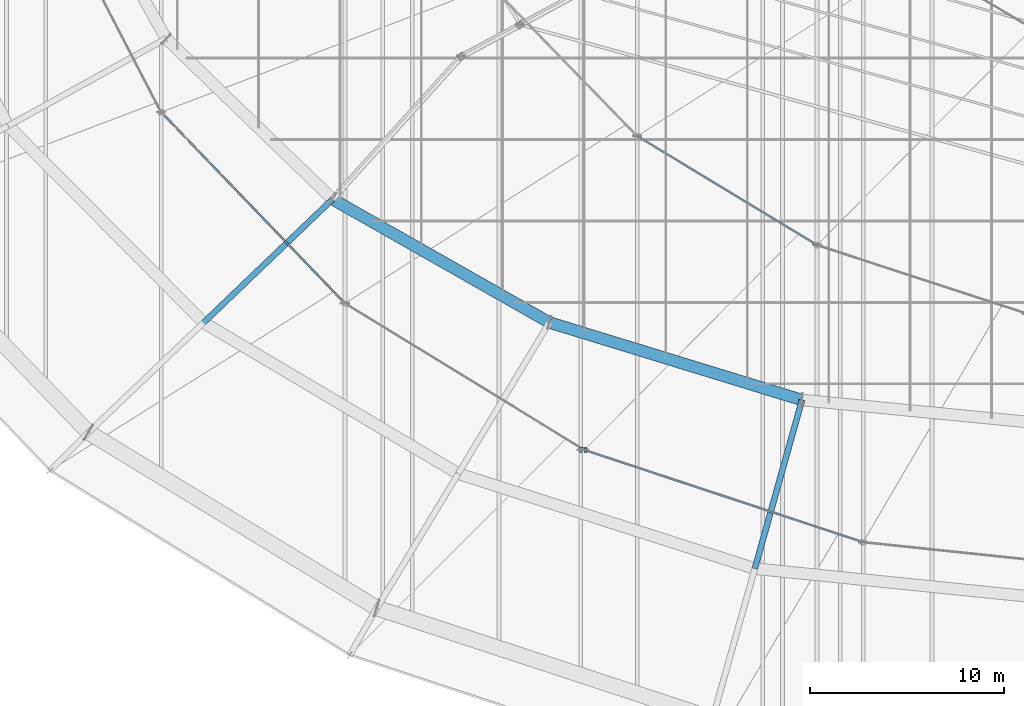
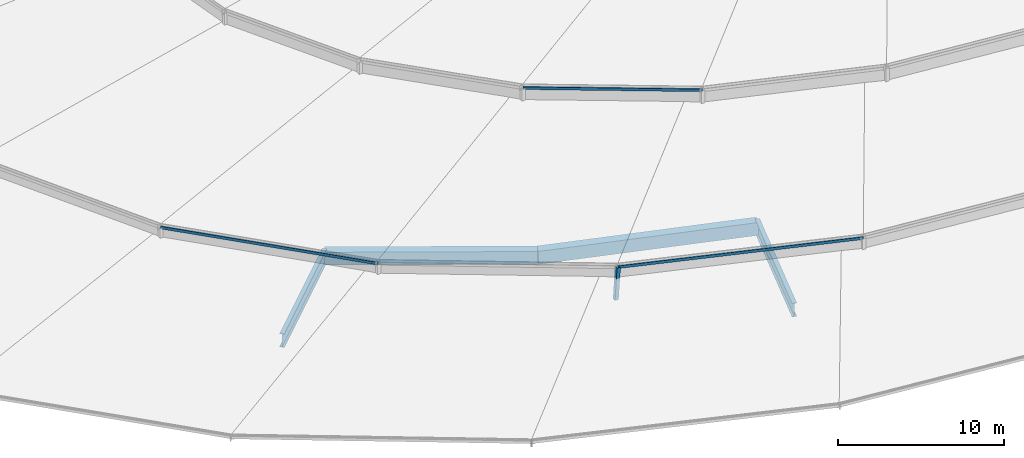
# One storey, part 3 of 184: 4 beams, 4 members.
"""IFC4 building model written with IfcOpenShell, lengths in metres."""

from ifc_helpers import new_model, si_unit, direction, frame, origin, origin_2d, place, context, subcontext, project, spatial, hollow_rectangle, i_section, extrude, material, material_profile, profile_set, type_object, element, save


model = new_model("IFC4")

# Units and contexts
model_context = context("Model", 3, precision=1e-05, world=origin(), true_north=direction((0.0, 1.0)))
body_context = subcontext(model_context, "Body", "Model", "MODEL_VIEW")
ifc_project = project(units=[si_unit("LENGTHUNIT", "METRE"), si_unit("AREAUNIT", "SQUARE_METRE"), si_unit("VOLUMEUNIT", "CUBIC_METRE"), si_unit("PLANEANGLEUNIT", "RADIAN"), si_unit("MASSUNIT", "GRAM", prefix="KILO")], contexts=[model_context])

# Site, building, storey
site_placement = place(None, origin())
site = spatial("IfcSite", under=ifc_project, at=site_placement, CompositionType="ELEMENT")
building_placement = place(site_placement, origin())
building = spatial("IfcBuilding", under=site, at=building_placement, Name="Kalgoora Escarpment Arena", CompositionType="ELEMENT")
storey_placement = place(building_placement, frame((0.0, 0.0, 27.60009765625)))
storey = spatial("IfcBuildingStorey", under=building, at=storey_placement, Name="Roof Level", CompositionType="ELEMENT", Elevation=27.60009765625)

# Beams
ifc_material_1 = material(Name="Structural steel Grade 350 (350 MPa)", Category="steel")
ifc_material_profile_1 = material_profile(ifc_material_1, hollow_rectangle(XDim=0.60009765625, YDim=0.949951171875, WallThickness=0.02490234375, at=origin_2d()))
ifc_profile_set_1 = profile_set([ifc_material_profile_1], Name="Structural steel Grade 350 (350 MPa)")
beam_type_1 = type_object("IfcBeamType", Name="BM-RING-BOX950", PredefinedType="USERDEFINED", material=ifc_profile_set_1)
beam_1_placement = place(storey_placement, frame((54.21630859375, 35.7158203125, -1.25), z_axis=(0.869369098708, -0.494163303182, 0.0), x_axis=(0.494163303182, 0.869369098708, 0.0)))
element("IfcBeam", 1, at=beam_1_placement, inside=storey, type_object=beam_type_1, Name="Bowl compression RING BEAM chord 16", ObjectType="GIRDER", PredefinedType="USERDEFINED", context=body_context, shape_type="SweptSolid", body=[
    extrude(hollow_rectangle(XDim=0.60009765625, YDim=0.949951171875, WallThickness=0.02490234375, at=origin_2d()), origin(), (0.0, 0.0, 1.0), 12.864013671875),
])
beam_2_placement = place(storey_placement, frame((65.39990234375, 29.35888671875, -1.25), z_axis=(0.956016223512, -0.293313791666, 0.0), x_axis=(0.293313791666, 0.956016223512, 0.0)))
element("IfcBeam", 2, at=beam_2_placement, inside=storey, type_object=beam_type_1, Name="Bowl compression RING BEAM chord 17", ObjectType="GIRDER", PredefinedType="USERDEFINED", context=body_context, shape_type="SweptSolid", body=[
    extrude(hollow_rectangle(XDim=0.60009765625, YDim=0.949951171875, WallThickness=0.02490234375, at=origin_2d()), origin(), (0.0, 0.0, 1.0), 13.623046875),
])
ifc_material_2 = material(Name="Structural steel Grade 350 (350 MPa)", Category="steel")
ifc_material_profile_2 = material_profile(ifc_material_2, i_section(OverallWidth=0.300048828125, OverallDepth=1.010009765625, WebThickness=0.01611328125, FlangeThickness=0.030029296875, at=origin_2d()))
ifc_profile_set_2 = profile_set([ifc_material_profile_2], Name="Structural steel Grade 350 (350 MPa)")
beam_type_2 = type_object("IfcBeamType", Name="BM-TRUSS-CHORD", PredefinedType="USERDEFINED", material=ifc_profile_set_2)
beam_3_placement = place(storey_placement, frame((47.5693359375, 29.351806640625, -1.300048828125), z_axis=(0.722271412013, 0.691524605045, 0.01085025371), x_axis=(-0.691565314546, 0.722313931554, 0.0)))
element("IfcBeam", 3, at=beam_3_placement, inside=storey, type_object=beam_type_2, Name="Inner radial petal support girder R16", ObjectType="GIRDER", PredefinedType="USERDEFINED", context=body_context, shape_type="SweptSolid", body=[
    extrude(i_section(OverallWidth=0.300048828125, OverallDepth=1.010009765625, WebThickness=0.01611328125, FlangeThickness=0.030029296875, at=origin_2d()), origin(), (0.0, 0.0, 1.0), 9.202880859375),
])
beam_4_placement = place(storey_placement, frame((75.990966796875, 16.669677734375, -1.300048828125), z_axis=(0.269482027297, 0.962941899448, 0.01106052676), x_axis=(-0.963000805722, 0.269498512386, 0.0)))
element("IfcBeam", 4, at=beam_4_placement, inside=storey, type_object=beam_type_2, Name="Inner radial petal support girder R18", ObjectType="GIRDER", PredefinedType="USERDEFINED", context=body_context, shape_type="SweptSolid", body=[
    extrude(i_section(OverallWidth=0.300048828125, OverallDepth=1.010009765625, WebThickness=0.01611328125, FlangeThickness=0.030029296875, at=origin_2d()), origin(), (0.0, 0.0, 1.0), 9.02783203125),
])

# Members
ifc_material_3 = material(Name="Structural steel C450 (450 MPa)", Category="steel")
ifc_material_profile_3 = material_profile(ifc_material_3, hollow_rectangle(XDim=0.25, YDim=0.25, WallThickness=0.012451171875, at=origin_2d()))
ifc_profile_set_3 = profile_set([ifc_material_profile_3], Name="Structural steel C450 (450 MPa)")
member_type_1 = type_object("IfcMemberType", Name="MEM-PETAL-POST", PredefinedType="POST", material=ifc_profile_set_3)
member_1_placement = place(storey_placement, frame((67.06005859375, 22.777099609375, -1.080078125), z_axis=(0.059550556132, 0.0, 0.998225290836), x_axis=(0.0, 1.0, 0.0)))
element("IfcMember", 5, at=member_1_placement, inside=storey, type_object=member_type_1, Name="Petal RP2 vertical support post S17", PredefinedType="POST", context=body_context, shape_type="SweptSolid", body=[
    extrude(hollow_rectangle(XDim=0.25, YDim=0.25, WallThickness=0.012451171875, at=origin_2d()), origin(), (0.0, 0.0, 1.0), 2.34912109375),
])
ifc_material_4 = material(Name="Structural steel C350 (350 MPa)", Category="steel")
ifc_material_profile_4 = material_profile(ifc_material_4, hollow_rectangle(XDim=0.10009765625, YDim=0.199951171875, WallThickness=0.009033203125, at=origin_2d()))
ifc_profile_set_4 = profile_set([ifc_material_profile_4], Name="Structural steel C350 (350 MPa)")
member_type_2 = type_object("IfcMemberType", Name="MEM-PURLIN-RHS", PredefinedType="PURLIN", material=ifc_profile_set_4)
member_2_placement = place(storey_placement, frame((45.385009765625, 40.199951171875, 1.244873046875), z_axis=(0.692821359996, -0.721109258804, 0.0), x_axis=(0.721109258804, 0.692821359996, 0.0)))
element("IfcMember", 6, at=member_2_placement, inside=storey, type_object=member_type_2, Name="Petal RP2 eave support ring purlin S15", PredefinedType="PURLIN", context=body_context, shape_type="SweptSolid", body=[
    extrude(hollow_rectangle(XDim=0.10009765625, YDim=0.199951171875, WallThickness=0.009033203125, at=origin_2d()), origin(), (0.0, 0.0, 1.0), 13.6708984375),
])
member_3_placement = place(storey_placement, frame((67.199951171875, 22.777099609375, 1.244873046875), z_axis=(0.949401616554, -0.31406459604, 0.0), x_axis=(0.31406459604, 0.949401616554, 0.0)))
element("IfcMember", 7, at=member_3_placement, inside=storey, type_object=member_type_2, Name="Petal RP2 eave support ring purlin S17", PredefinedType="PURLIN", context=body_context, shape_type="SweptSolid", body=[
    extrude(hollow_rectangle(XDim=0.10009765625, YDim=0.199951171875, WallThickness=0.009033203125, at=origin_2d()), origin(), (0.0, 0.0, 1.0), 15.140625),
])
member_4_placement = place(storey_placement, frame((69.921630859375, 38.968505859375, 3.684814453125), z_axis=(0.855095362894, -0.518470751689, 0.0), x_axis=(0.518470751689, 0.855095362894, 0.0)))
element("IfcMember", 8, at=member_4_placement, inside=storey, type_object=member_type_2, Name="Petal RP3 eave support ring purlin S16", PredefinedType="PURLIN", context=body_context, shape_type="SweptSolid", body=[
    extrude(hollow_rectangle(XDim=0.10009765625, YDim=0.199951171875, WallThickness=0.009033203125, at=origin_2d()), origin(), (0.0, 0.0, 1.0), 10.8505859375),
])

save(model, "model.ifc")
